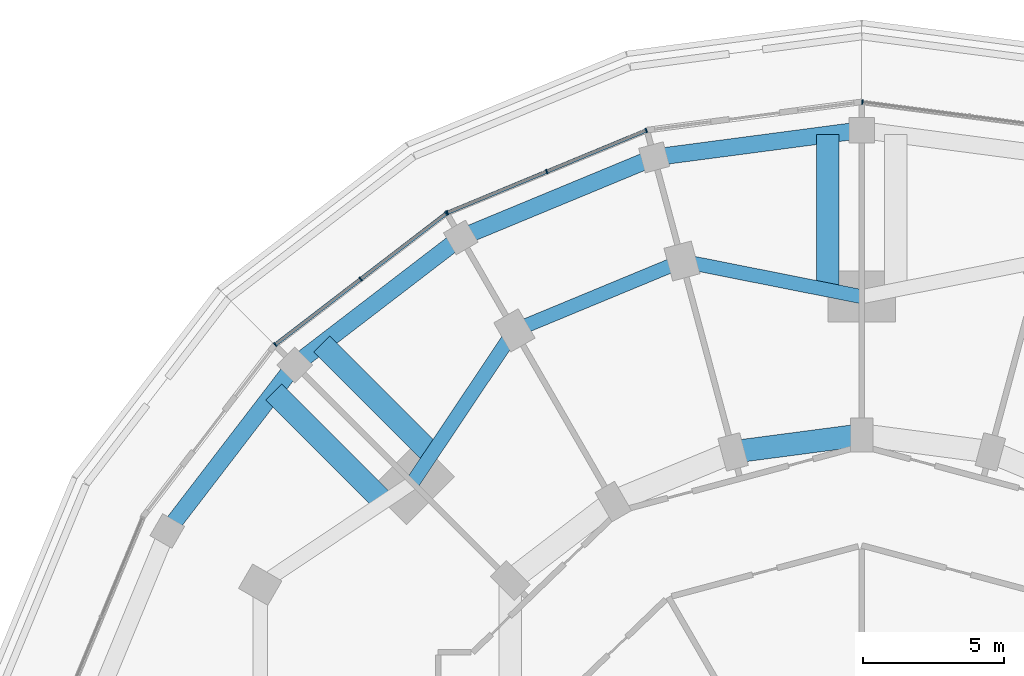
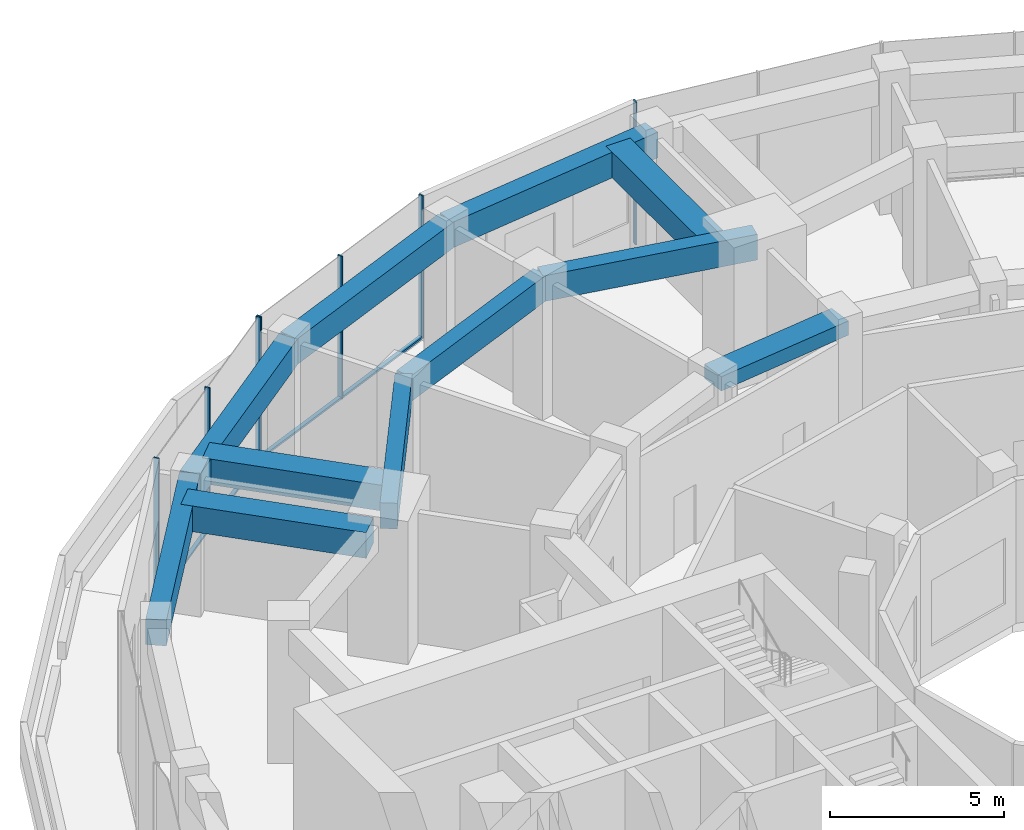
# One storey, part 7 of 19: 11 beams, 11 members, 3 elements without a shape of their own.
"""IFC4 building model written with IfcOpenShell, lengths in metres."""

from ifc_helpers import new_model, si_unit, direction, frame, origin, origin_2d, place, context, subcontext, project, spatial, rectangle, extrude, material, layer, layer_set, material_profile, profile_set, type_object, element, aggregate, save


model = new_model("IFC4")

# Units and contexts
model_context = context("Model", 3, precision=1e-05, world=origin(), true_north=direction((0.0, 1.0)))
body_context = subcontext(model_context, "Body", "Model", "MODEL_VIEW")
ifc_project = project(units=[si_unit("LENGTHUNIT", "METRE"), si_unit("AREAUNIT", "SQUARE_METRE"), si_unit("VOLUMEUNIT", "CUBIC_METRE"), si_unit("PLANEANGLEUNIT", "RADIAN"), si_unit("MASSUNIT", "GRAM", prefix="KILO")], contexts=[model_context])

# Site, building, storey
site_placement = place(None, origin())
site = spatial("IfcSite", under=ifc_project, at=site_placement, CompositionType="ELEMENT")
building_placement = place(site_placement, origin())
building = spatial("IfcBuilding", under=site, at=building_placement, Name="Torre Brocal", CompositionType="ELEMENT")
storey_placement = place(building_placement, frame((0.0, 0.0, 23.800048828125)))
storey = spatial("IfcBuildingStorey", under=building, at=storey_placement, Name="L04", CompositionType="ELEMENT", Elevation=23.800048828125)

# Curtain wall, member
ifc_material_1 = material(Name="Aluminium and glass", Category="aluminium")
ifc_layer = layer(ifc_material_1, 0.199951171875)
ifc_layer_set = layer_set([ifc_layer], Name="Aluminium and glass")
curtain_wall_type = type_object("IfcCurtainWallType", Name="CW-6 CURTAIN WALL 5000 HIGH", PredefinedType="NOTDEFINED", material=ifc_layer_set)
curtain_wall_1_placement = place(storey_placement, origin())
curtain_wall_1 = element("IfcCurtainWall", 1, at=curtain_wall_1_placement, inside=storey, type_object=curtain_wall_type, Name="CW-6 RUN 6", PredefinedType="NOTDEFINED")
ifc_material_2 = material(Name="Aluminium, dark anodised", Category="aluminium")
ifc_material_profile_1 = material_profile(ifc_material_2, rectangle(XDim=0.159912109375, YDim=0.050048828125, at=origin_2d()), Name="CW-6 MULLION 50X160")
ifc_profile_set_1 = profile_set([ifc_material_profile_1], Name="Aluminium, dark anodised")
member_type_1 = type_object("IfcMemberType", Name="CW-6 MULLION 50X160", PredefinedType="MULLION", material=ifc_profile_set_1)
member_1_placement = place(storey_placement, frame((80.02490234375, 104.395751953125, 0.0), z_axis=(0.0, 0.0, 1.0), x_axis=(-0.130526192272, -0.991444861367, 0.0)))
member_1 = element("IfcMember", 2, at=member_1_placement, type_object=member_type_1, Name="CW6-3 mullion 3", PredefinedType="MULLION", context=body_context, shape_type="SweptSolid", body=[
    extrude(rectangle(XDim=0.159912109375, YDim=0.050048828125, at=origin_2d()), origin(), (0.0, 0.0, 1.0), 5.0),
])
aggregate(curtain_wall_1, [member_1])

# Curtain wall, members
curtain_wall_2_placement = place(storey_placement, origin())
curtain_wall_2 = element("IfcCurtainWall", 3, at=curtain_wall_2_placement, inside=storey, type_object=curtain_wall_type, Name="CW-6 RUN 8", PredefinedType="NOTDEFINED")
member_2_placement = place(storey_placement, frame((72.367919921875, 103.387939453125, 0.0), z_axis=(0.0, 0.0, 1.0), x_axis=(0.382683432365, -0.923879532511, 0.0)))
member_2 = element("IfcMember", 4, at=member_2_placement, type_object=member_type_1, Name="CW6-3 mullion 1", PredefinedType="MULLION", context=body_context, shape_type="SweptSolid", body=[
    extrude(rectangle(XDim=0.159912109375, YDim=0.050048828125, at=origin_2d()), origin(), (0.0, 0.0, 1.0), 5.0),
])
member_3_placement = place(storey_placement, frame((68.845703125, 101.928955078125, 0.0), z_axis=(0.0, 0.0, 1.0), x_axis=(0.382683432365, -0.923879532511, 0.0)))
member_3 = element("IfcMember", 5, at=member_3_placement, type_object=member_type_1, Name="CW6-3 mullion 2", PredefinedType="MULLION", context=body_context, shape_type="SweptSolid", body=[
    extrude(rectangle(XDim=0.159912109375, YDim=0.050048828125, at=origin_2d()), origin(), (0.0, 0.0, 1.0), 5.0),
])
member_4_placement = place(storey_placement, frame((65.323486328125, 100.469970703125, 0.0), z_axis=(0.0, 0.0, 1.0), x_axis=(0.382683432365, -0.923879532511, 0.0)))
member_4 = element("IfcMember", 6, at=member_4_placement, type_object=member_type_1, Name="CW6-3 mullion 3", PredefinedType="MULLION", context=body_context, shape_type="SweptSolid", body=[
    extrude(rectangle(XDim=0.159912109375, YDim=0.050048828125, at=origin_2d()), origin(), (0.0, 0.0, 1.0), 5.0),
])

curtain_wall_3_placement = place(storey_placement, origin())
curtain_wall_3 = element("IfcCurtainWall", 7, at=curtain_wall_3_placement, inside=storey, type_object=curtain_wall_type, Name="CW-6 RUN 9", PredefinedType="NOTDEFINED")
member_5_placement = place(storey_placement, frame((65.280517578125, 100.445068359375, 0.0), z_axis=(0.0, 0.0, 1.0), x_axis=(0.608761429009, -0.793353340291, 0.0)))
member_5 = element("IfcMember", 8, at=member_5_placement, type_object=member_type_1, Name="CW6-3 mullion 1", PredefinedType="MULLION", context=body_context, shape_type="SweptSolid", body=[
    extrude(rectangle(XDim=0.159912109375, YDim=0.050048828125, at=origin_2d()), origin(), (0.0, 0.0, 1.0), 5.0),
])
member_6_placement = place(storey_placement, frame((62.256103515625, 98.124267578125, 0.0), z_axis=(0.0, 0.0, 1.0), x_axis=(0.608761429009, -0.793353340291, 0.0)))
member_6 = element("IfcMember", 9, at=member_6_placement, type_object=member_type_1, Name="CW6-3 mullion 2", PredefinedType="MULLION", context=body_context, shape_type="SweptSolid", body=[
    extrude(rectangle(XDim=0.159912109375, YDim=0.050048828125, at=origin_2d()), origin(), (0.0, 0.0, 1.0), 5.0),
])
member_7_placement = place(storey_placement, frame((59.2314453125, 95.803466796875, 0.0), z_axis=(0.0, 0.0, 1.0), x_axis=(0.608761429009, -0.793353340291, 0.0)))
member_7 = element("IfcMember", 10, at=member_7_placement, type_object=member_type_1, Name="CW6-3 mullion 3", PredefinedType="MULLION", context=body_context, shape_type="SweptSolid", body=[
    extrude(rectangle(XDim=0.159912109375, YDim=0.050048828125, at=origin_2d()), origin(), (0.0, 0.0, 1.0), 5.0),
])

# Member
ifc_material_3 = material(Name="Aluminium, dark anodised", Category="aluminium")
ifc_material_profile_2 = material_profile(ifc_material_3, rectangle(XDim=0.1298828125, YDim=0.070068359375, at=origin_2d()), Name="CW-6 TRANSOM 130X70")
ifc_profile_set_2 = profile_set([ifc_material_profile_2], Name="Aluminium, dark anodised")
member_type_2 = type_object("IfcMemberType", Name="CW-6 TRANSOM 130X70", PredefinedType="USERDEFINED", material=ifc_profile_set_2)
member_8_placement = place(storey_placement, frame((72.3447265625, 103.378173828125, 0.034912109375), z_axis=(-0.923883168677, -0.382674653767, 0.0), x_axis=(0.382674653767, -0.923883168677, 0.0)))
member_8 = element("IfcMember", 11, at=member_8_placement, type_object=member_type_2, Name="CW6-3 transom 1.1", ObjectType="TRANSOM", PredefinedType="USERDEFINED", context=body_context, shape_type="SweptSolid", body=[
    extrude(rectangle(XDim=0.1298828125, YDim=0.070068359375, at=origin_2d()), origin(), (0.0, 0.0, 1.0), 3.76220703125),
])

member_9_placement = place(storey_placement, frame((68.822509765625, 101.91943359375, 0.034912109375), z_axis=(-0.923860224844, -0.382730041872, 0.0), x_axis=(0.382730041872, -0.923860224844, 0.0)))
member_9 = element("IfcMember", 12, at=member_9_placement, type_object=member_type_2, Name="CW6-3 transom 2.1", ObjectType="TRANSOM", PredefinedType="USERDEFINED", context=body_context, shape_type="SweptSolid", body=[
    extrude(rectangle(XDim=0.1298828125, YDim=0.070068359375, at=origin_2d()), origin(), (0.0, 0.0, 1.0), 3.76220703125),
])

aggregate(curtain_wall_2, [member_2, member_3, member_4, member_8, member_9])

member_10_placement = place(storey_placement, frame((65.2607421875, 100.429931640625, 0.034912109375), z_axis=(-0.793363988163, -0.608747552181, 0.0), x_axis=(0.608747552181, -0.793363988163, 0.0)))
member_10 = element("IfcMember", 13, at=member_10_placement, type_object=member_type_2, Name="CW6-3 transom 1.1", ObjectType="TRANSOM", PredefinedType="USERDEFINED", context=body_context, shape_type="SweptSolid", body=[
    extrude(rectangle(XDim=0.1298828125, YDim=0.070068359375, at=origin_2d()), origin(), (0.0, 0.0, 1.0), 3.76220703125),
])

member_11_placement = place(storey_placement, frame((62.236328125, 98.109130859375, 0.034912109375), z_axis=(-0.793388033397, -0.608716213405, 0.0), x_axis=(0.608716213405, -0.793388033397, 0.0)))
member_11 = element("IfcMember", 14, at=member_11_placement, type_object=member_type_2, Name="CW6-3 transom 2.1", ObjectType="TRANSOM", PredefinedType="USERDEFINED", context=body_context, shape_type="SweptSolid", body=[
    extrude(rectangle(XDim=0.1298828125, YDim=0.070068359375, at=origin_2d()), origin(), (0.0, 0.0, 1.0), 3.762451171875),
])

aggregate(curtain_wall_3, [member_5, member_6, member_7, member_10, member_11])

# Beams
ifc_material_4 = material(Name="Concrete C50", Category="concrete")
ifc_material_profile_3 = material_profile(ifc_material_4, rectangle(XDim=0.60009765625, YDim=0.89990234375, at=origin_2d()), Name="RC 600X900")
ifc_profile_set_3 = profile_set([ifc_material_profile_3], Name="Concrete C50")
beam_type_1 = type_object("IfcBeamType", Name="RC BEAM 600X900 C50 TOP 4680", PredefinedType="BEAM", material=ifc_profile_set_3)
beam_1_placement = place(storey_placement, frame((80.0, 103.39990234375, 4.22998046875), z_axis=(-0.991447681208, -0.130504771669, 0.0), x_axis=(0.130504771669, -0.991447681208, 0.0)))
element("IfcBeam", 15, at=beam_1_placement, inside=storey, type_object=beam_type_1, Name="Beam BT-16", PredefinedType="BEAM", context=body_context, shape_type="SweptSolid", body=[
    extrude(rectangle(XDim=0.60009765625, YDim=0.89990234375, at=origin_2d()), origin(), (0.0, 0.0, 1.0), 7.413818359375),
])
for number, where, z_axis, x_axis, name in (
    (16, (72.649658203125, 102.432373046875, 4.22998046875), (-0.923881578151, -0.382678493716, 0.0), (0.382678493716, -0.923881578151, 0.0), "Beam BT-16"),
    (17, (65.800048828125, 99.59521484375, 4.22998046875), (-0.793344462579, -0.608772998493, 0.0), (0.608772998493, -0.793344462579, 0.0), "Beam BT-16"),
    (18, (59.918212890625, 95.081787109375, 4.22998046875), (-0.608772998493, -0.793344462579, 0.0), (0.793344462579, -0.608772998493, 0.0), "Beam BT-16"),
):
    element("IfcBeam", number, at=place(storey_placement, frame(where, z_axis=z_axis, x_axis=x_axis)), inside=storey, type_object=beam_type_1, Name=name, PredefinedType="BEAM", context=body_context, shape_type="SweptSolid", body=[
        extrude(rectangle(XDim=0.60009765625, YDim=0.89990234375, at=origin_2d()), origin(), (0.0, 0.0, 1.0), 7.4140625),
    ])
ifc_material_5 = material(Name="Concrete C50", Category="concrete")
ifc_material_profile_4 = material_profile(ifc_material_5, rectangle(XDim=0.800048828125, YDim=0.5, at=origin_2d()), Name="RC 800X500")
ifc_profile_set_4 = profile_set([ifc_material_profile_4], Name="Concrete C50")
beam_type_2 = type_object("IfcBeamType", Name="RC BEAM 800X500 C50 TOP 4680", PredefinedType="BEAM", material=ifc_profile_set_4)
beam_2_placement = place(storey_placement, frame((80.0, 92.60009765625, 4.429931640625), z_axis=(-0.991440544449, -0.130558978332, 0.0), x_axis=(0.130558978332, -0.991440544449, 0.0)))
element("IfcBeam", 19, at=beam_2_placement, inside=storey, type_object=beam_type_2, Name="Beam BT-17", PredefinedType="BEAM", context=body_context, shape_type="SweptSolid", body=[
    extrude(rectangle(XDim=0.800048828125, YDim=0.5, at=origin_2d()), origin(), (0.0, 0.0, 1.0), 4.594482421875),
])
ifc_material_6 = material(Name="Concrete C50", Category="concrete")
ifc_material_profile_5 = material_profile(ifc_material_6, rectangle(XDim=0.800048828125, YDim=0.89990234375, at=origin_2d()), Name="RC 800X900")
ifc_profile_set_5 = profile_set([ifc_material_profile_5], Name="Concrete C50")
beam_type_3 = type_object("IfcBeamType", Name="RC BEAM 800X900 C50 TOP 4680", PredefinedType="BEAM", material=ifc_profile_set_5)
for number, where, z_axis, x_axis, name in (
    (20, (78.800048828125, 97.73779296875, 4.22998046875), (0.0, 1.0, 0.0), (-1.0, 0.0, 0.0), "Beam BT-54"),
    (21, (64.7705078125, 91.926513671875, 4.22998046875), (-0.707106781187, 0.707106781187, 0.0), (-0.707106781187, -0.707106781187, 0.0), "Beam BT-54"),
    (22, (63.073486328125, 90.2294921875, 4.22998046875), (-0.707106781187, 0.707106781187, 0.0), (-0.707106781187, -0.707106781187, 0.0), "Beam BT-54"),
):
    element("IfcBeam", number, at=place(storey_placement, frame(where, z_axis=z_axis, x_axis=x_axis)), inside=storey, type_object=beam_type_3, Name=name, PredefinedType="BEAM", context=body_context, shape_type="SweptSolid", body=[
        extrude(rectangle(XDim=0.800048828125, YDim=0.89990234375, at=origin_2d()), origin(), (0.0, 0.0, 1.0), 5.504150390625),
    ])
ifc_material_7 = material(Name="Concrete C50", Category="concrete")
ifc_material_profile_6 = material_profile(ifc_material_7, rectangle(XDim=0.5, YDim=0.89990234375, at=origin_2d()), Name="RC 500X900")
ifc_profile_set_6 = profile_set([ifc_material_profile_6], Name="Concrete C50")
beam_type_4 = type_object("IfcBeamType", Name="RC SPANDREL BEAM 500X900 C50 TOP 4680", PredefinedType="SPANDREL", material=ifc_profile_set_6)
beam_3_placement = place(storey_placement, frame((80.0, 97.5, 4.22998046875), z_axis=(-0.980924907484, 0.194387051723, 0.0), x_axis=(-0.194387051723, -0.980924907484, 0.0)))
element("IfcBeam", 23, at=beam_3_placement, inside=storey, type_object=beam_type_4, Name="Beam BT-18", PredefinedType="SPANDREL", context=body_context, shape_type="SweptSolid", body=[
    extrude(rectangle(XDim=0.5, YDim=0.89990234375, at=origin_2d()), origin(), (0.0, 0.0, 1.0), 6.49072265625),
])
beam_4_placement = place(storey_placement, frame((73.633056640625, 98.76171875, 4.22998046875), z_axis=(-0.923882462513, -0.382676358639, 0.0), x_axis=(0.382676358639, -0.923882462513, 0.0)))
element("IfcBeam", 24, at=beam_4_placement, inside=storey, type_object=beam_type_4, Name="Beam BT-18", PredefinedType="SPANDREL", context=body_context, shape_type="SweptSolid", body=[
    extrude(rectangle(XDim=0.5, YDim=0.89990234375, at=origin_2d()), origin(), (0.0, 0.0, 1.0), 6.421875),
])
beam_5_placement = place(storey_placement, frame((67.699951171875, 96.30419921875, 4.22998046875), z_axis=(-0.556157602282, -0.831076844476, 0.0), x_axis=(0.831076844476, -0.556157602282, 0.0)))
element("IfcBeam", 25, at=beam_5_placement, inside=storey, type_object=beam_type_4, Name="Beam BT-18", PredefinedType="SPANDREL", context=body_context, shape_type="SweptSolid", body=[
    extrude(rectangle(XDim=0.5, YDim=0.89990234375, at=origin_2d()), origin(), (0.0, 0.0, 1.0), 6.49072265625),
])

save(model, "model.ifc")
